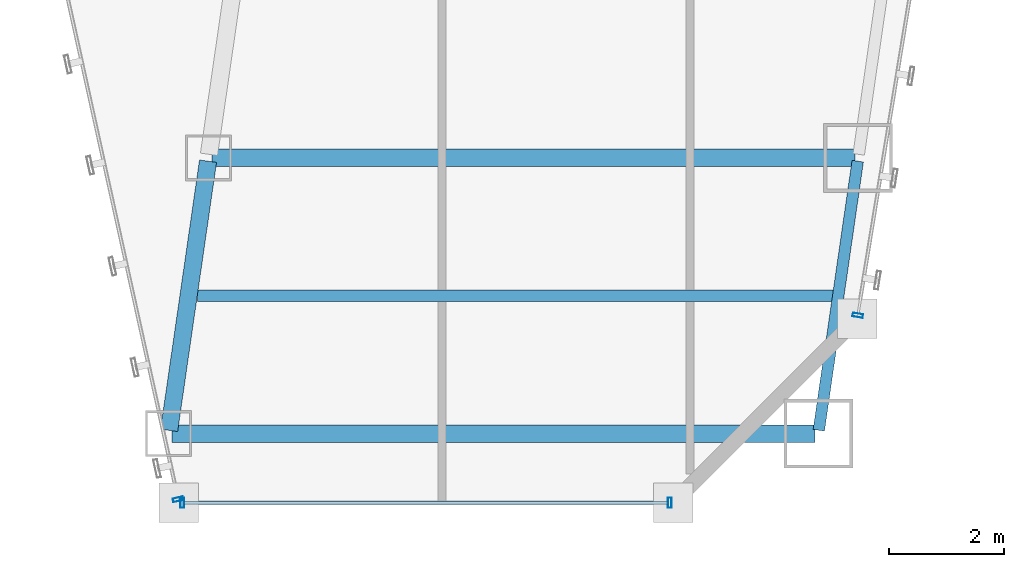
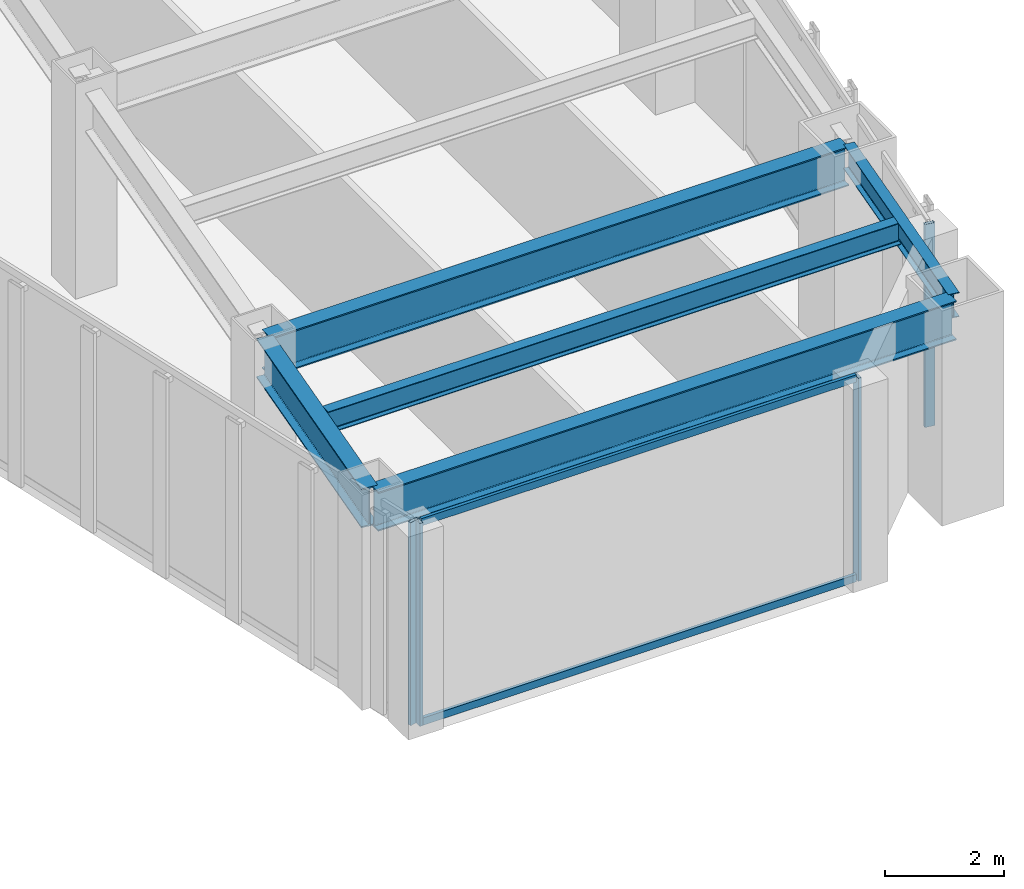
# One storey, part 15 of 47: 6 members, 5 beams, 3 elements without a shape of their own.
"""IFC4 building model written with IfcOpenShell, lengths in metres."""

from ifc_helpers import new_model, si_unit, direction, frame, origin, origin_2d, place, context, subcontext, project, spatial, hollow_rectangle, i_section, extrude, material, material_profile, profile_set, type_object, element, aggregate, save


model = new_model("IFC4")

# Units and contexts
model_context = context("Model", 3, precision=1e-05, world=origin(), true_north=direction((0.0, 1.0)))
body_context = subcontext(model_context, "Body", "Model", "MODEL_VIEW")
ifc_project = project(units=[si_unit("LENGTHUNIT", "METRE"), si_unit("AREAUNIT", "SQUARE_METRE"), si_unit("VOLUMEUNIT", "CUBIC_METRE"), si_unit("PLANEANGLEUNIT", "RADIAN"), si_unit("MASSUNIT", "GRAM", prefix="KILO")], contexts=[model_context])

# Site, building, storey
site_placement = place(None, origin())
site = spatial("IfcSite", under=ifc_project, at=site_placement, CompositionType="ELEMENT")
building_placement = place(site_placement, origin())
building = spatial("IfcBuilding", under=site, at=building_placement, Name="Saevonmaru Cultural Tower", CompositionType="ELEMENT")
storey_placement = place(building_placement, frame((0.0, 0.0, 60.39990234375)))
storey = spatial("IfcBuildingStorey", under=building, at=storey_placement, Name="L12", CompositionType="ELEMENT", Elevation=60.39990234375)

# Beams
ifc_material_1 = material(Name="Steel SM420", Category="steel")
ifc_material_profile_1 = material_profile(ifc_material_1, i_section(OverallWidth=0.300048828125, OverallDepth=0.800048828125, WebThickness=0.013916015625, FlangeThickness=0.02587890625, FilletRadius=0.028076171875, at=origin_2d()), Name="H-800x300x14x26")
ifc_profile_set_1 = profile_set([ifc_material_profile_1], Name="Steel SM420")
beam_type_1 = type_object("IfcBeamType", Name="BM-G-H800", PredefinedType="BEAM", material=ifc_profile_set_1)
beam_1_placement = place(storey_placement, frame((36.231689453125, 3.259521484375, 3.75), z_axis=(0.143083234893, 0.989710658674, 0.0), x_axis=(-0.989710658674, 0.143083234893, 0.0)))
element("IfcBeam", 1, at=beam_1_placement, inside=storey, type_object=beam_type_1, Name="L12 East Atrium Girder 1", PredefinedType="BEAM", context=body_context, shape_type="SweptSolid", body=[
    extrude(i_section(OverallWidth=0.300048828125, OverallDepth=0.800048828125, WebThickness=0.013916015625, FlangeThickness=0.02587890625, FilletRadius=0.028076171875, at=origin_2d()), origin(), (0.0, 0.0, 1.0), 4.729736328125),
])
for number, where, z_axis, x_axis, name in (
    (2, (36.282958984375, 3.199951171875, 3.75), (1.0, 0.0, 0.0), (0.0, 1.0, 0.0), "L12 East Wing Transverse Girder 1"),
    (3, (36.97705078125, 8.0, 3.75), (1.0, 0.0, 0.0), (0.0, 1.0, 0.0), "L12 East Wing Transverse Girder 2"),
):
    element("IfcBeam", number, at=place(storey_placement, frame(where, z_axis=z_axis, x_axis=x_axis)), inside=storey, type_object=beam_type_1, Name=name, PredefinedType="BEAM", context=body_context, shape_type="SweptSolid", body=[
        extrude(i_section(OverallWidth=0.300048828125, OverallDepth=0.800048828125, WebThickness=0.013916015625, FlangeThickness=0.02587890625, FilletRadius=0.028076171875, at=origin_2d()), origin(), (0.0, 0.0, 1.0), 11.179931640625),
    ])
ifc_material_2 = material(Name="Steel SM355", Category="steel")
ifc_material_profile_2 = material_profile(ifc_material_2, i_section(OverallWidth=0.199951171875, OverallDepth=0.449951171875, WebThickness=0.009033203125, FlangeThickness=0.013916015625, FilletRadius=0.01806640625, at=origin_2d()), Name="H-450x200x9x14")
ifc_profile_set_2 = profile_set([ifc_material_profile_2], Name="Steel SM355")
beam_type_2 = type_object("IfcBeamType", Name="BM-J-H450", PredefinedType="JOIST", material=ifc_profile_set_2)
beam_2_placement = place(storey_placement, frame((36.72802734375, 5.60009765625, 3.925048828125), z_axis=(1.0, 0.0, 0.0), x_axis=(0.0, 1.0, 0.0)))
element("IfcBeam", 4, at=beam_2_placement, inside=storey, type_object=beam_type_2, Name="L12 East Wing Floor Joist 1", PredefinedType="JOIST", context=body_context, shape_type="SweptSolid", body=[
    extrude(i_section(OverallWidth=0.199951171875, OverallDepth=0.449951171875, WebThickness=0.009033203125, FlangeThickness=0.013916015625, FilletRadius=0.01806640625, at=origin_2d()), origin(), (0.0, 0.0, 1.0), 11.08203125),
])
ifc_material_profile_3 = material_profile(ifc_material_2, i_section(OverallWidth=0.199951171875, OverallDepth=0.5, WebThickness=0.010009765625, FlangeThickness=0.01611328125, FilletRadius=0.02001953125, at=origin_2d()), Name="H-500x200x10x16")
ifc_profile_set_3 = profile_set([ifc_material_profile_3], Name="Steel SM355")
beam_type_3 = type_object("IfcBeamType", Name="BM-SP-H500", PredefinedType="SPANDREL", material=ifc_profile_set_3)
beam_3_placement = place(storey_placement, frame((47.531494140625, 3.259521484375, 3.900146484375), z_axis=(0.14313379491, 0.989703347855, 0.0), x_axis=(-0.989703347855, 0.14313379491, 0.0)))
element("IfcBeam", 5, at=beam_3_placement, inside=storey, type_object=beam_type_3, Name="L12 East Splayed Spandrel 1", PredefinedType="SPANDREL", context=body_context, shape_type="SweptSolid", body=[
    extrude(i_section(OverallWidth=0.199951171875, OverallDepth=0.5, WebThickness=0.010009765625, FlangeThickness=0.01611328125, FilletRadius=0.02001953125, at=origin_2d()), origin(), (0.0, 0.0, 1.0), 4.729736328125),
])

# Curtain wall, member
ifc_material_3 = material(Name="Satin Bronze Anodised Aluminium", Category="aluminium")
curtain_wall_type = type_object("IfcCurtainWallType", Name="CW-TYP-A", PredefinedType="NOTDEFINED", material=ifc_material_3)
curtain_wall_1_placement = place(storey_placement, origin())
curtain_wall_1 = element("IfcCurtainWall", 6, at=curtain_wall_1_placement, inside=storey, type_object=curtain_wall_type, Name="L12 Unitised Curtain Wall E5", PredefinedType="NOTDEFINED")
ifc_material_profile_4 = material_profile(ifc_material_3, hollow_rectangle(XDim=0.06494140625, YDim=0.179931640625, WallThickness=0.00390625, at=origin_2d()), Name="ALU-MULL-180x65x4")
ifc_profile_set_4 = profile_set([ifc_material_profile_4], Name="Satin Bronze Anodised Aluminium")
member_type_1 = type_object("IfcMemberType", Name="ML-CW-180x65", PredefinedType="MULLION", material=ifc_profile_set_4)
member_1_placement = place(storey_placement, frame((36.38720703125, 2.05859375, 0.0), z_axis=(0.0, 0.0, 1.0), x_axis=(0.215413319953, -0.976522965212, 0.0)))
member_1 = element("IfcMember", 7, at=member_1_placement, type_object=member_type_1, Name="CW-TW-L12-E5 mullion 2", PredefinedType="MULLION", context=body_context, shape_type="SweptSolid", body=[
    extrude(hollow_rectangle(XDim=0.06494140625, YDim=0.179931640625, WallThickness=0.00390625, at=origin_2d()), origin(), (0.0, 0.0, 1.0), 4.150146484375),
])
aggregate(curtain_wall_1, [member_1])

# Curtain wall, members
curtain_wall_2_placement = place(storey_placement, origin())
curtain_wall_2 = element("IfcCurtainWall", 8, at=curtain_wall_2_placement, inside=storey, type_object=curtain_wall_type, Name="L12 Unitised Curtain Wall E6", PredefinedType="NOTDEFINED")
member_2_placement = place(storey_placement, frame((36.4599609375, 2.0, 0.0), z_axis=(0.0, 0.0, 1.0), x_axis=(1.0, 0.0, 0.0)))
member_2 = element("IfcMember", 9, at=member_2_placement, type_object=member_type_1, Name="CW-TW-L12-E6 mullion 1", PredefinedType="MULLION", context=body_context, shape_type="SweptSolid", body=[
    extrude(hollow_rectangle(XDim=0.06494140625, YDim=0.179931640625, WallThickness=0.00390625, at=origin_2d()), origin(), (0.0, 0.0, 1.0), 4.150146484375),
])
member_3_placement = place(storey_placement, frame((44.93994140625, 2.0, 0.0), z_axis=(0.0, 0.0, 1.0), x_axis=(1.0, 0.0, 0.0)))
member_3 = element("IfcMember", 10, at=member_3_placement, type_object=member_type_1, Name="CW-TW-L12-E6 mullion 2", PredefinedType="MULLION", context=body_context, shape_type="SweptSolid", body=[
    extrude(hollow_rectangle(XDim=0.06494140625, YDim=0.179931640625, WallThickness=0.00390625, at=origin_2d()), origin(), (0.0, 0.0, 1.0), 4.150146484375),
])

# Curtain wall, member
curtain_wall_3_placement = place(storey_placement, origin())
curtain_wall_3 = element("IfcCurtainWall", 11, at=curtain_wall_3_placement, inside=storey, type_object=curtain_wall_type, Name="L12 Unitised Curtain Wall E8", PredefinedType="NOTDEFINED")
member_4_placement = place(storey_placement, frame((48.209716796875, 5.25927734375, 0.0), z_axis=(0.0, 0.0, 1.0), x_axis=(0.161708868641, 0.986838508472, 0.0)))
member_4 = element("IfcMember", 12, at=member_4_placement, type_object=member_type_1, Name="CW-TW-L12-E8 mullion 1", PredefinedType="MULLION", context=body_context, shape_type="SweptSolid", body=[
    extrude(hollow_rectangle(XDim=0.06494140625, YDim=0.179931640625, WallThickness=0.00390625, at=origin_2d()), origin(), (0.0, 0.0, 1.0), 4.150146484375),
])
aggregate(curtain_wall_3, [member_4])

# Member
ifc_material_profile_5 = material_profile(ifc_material_3, hollow_rectangle(XDim=0.06494140625, YDim=0.14990234375, WallThickness=0.00390625, at=origin_2d()), Name="ALU-TRAN-150x65x4")
ifc_profile_set_5 = profile_set([ifc_material_profile_5], Name="Satin Bronze Anodised Aluminium")
member_type_2 = type_object("IfcMemberType", Name="TR-CW-150x65", PredefinedType="USERDEFINED", material=ifc_profile_set_5)
member_5_placement = place(storey_placement, frame((36.492431640625, 2.0, 0.03271484375), z_axis=(1.0, 0.0, 0.0), x_axis=(0.0, 1.0, 0.0)))
member_5 = element("IfcMember", 13, at=member_5_placement, type_object=member_type_2, Name="CW-TW-L12-E6 transom 1.1", ObjectType="TRANSOM", PredefinedType="USERDEFINED", context=body_context, shape_type="SweptSolid", body=[
    extrude(hollow_rectangle(XDim=0.06494140625, YDim=0.14990234375, WallThickness=0.00390625, at=origin_2d()), origin(), (0.0, 0.0, 1.0), 8.4150390625),
])

member_6_placement = place(storey_placement, frame((36.492431640625, 2.0, 4.11767578125), z_axis=(1.0, 0.0, 0.0), x_axis=(0.0, 1.0, 0.0)))
member_6 = element("IfcMember", 14, at=member_6_placement, type_object=member_type_2, Name="CW-TW-L12-E6 transom 1.2", ObjectType="TRANSOM", PredefinedType="USERDEFINED", context=body_context, shape_type="SweptSolid", body=[
    extrude(hollow_rectangle(XDim=0.06494140625, YDim=0.14990234375, WallThickness=0.00390625, at=origin_2d()), origin(), (0.0, 0.0, 1.0), 8.4150390625),
])

aggregate(curtain_wall_2, [member_2, member_3, member_5, member_6])

save(model, "model.ifc")
